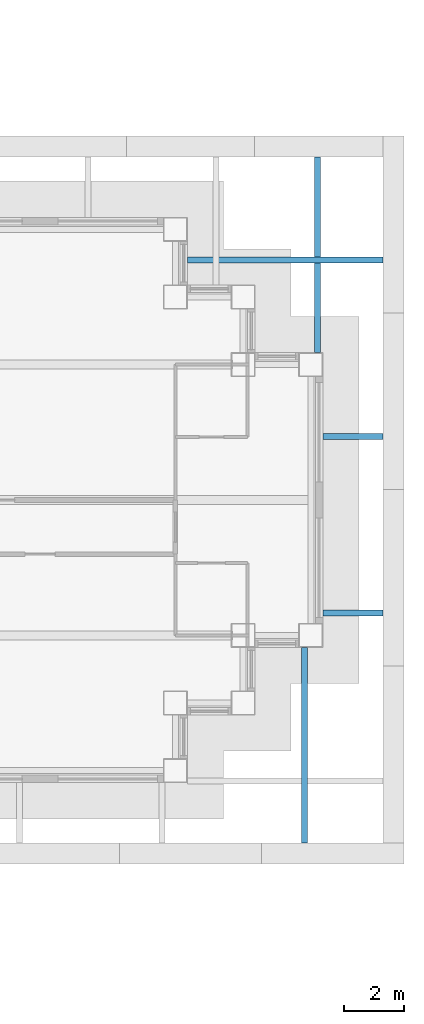
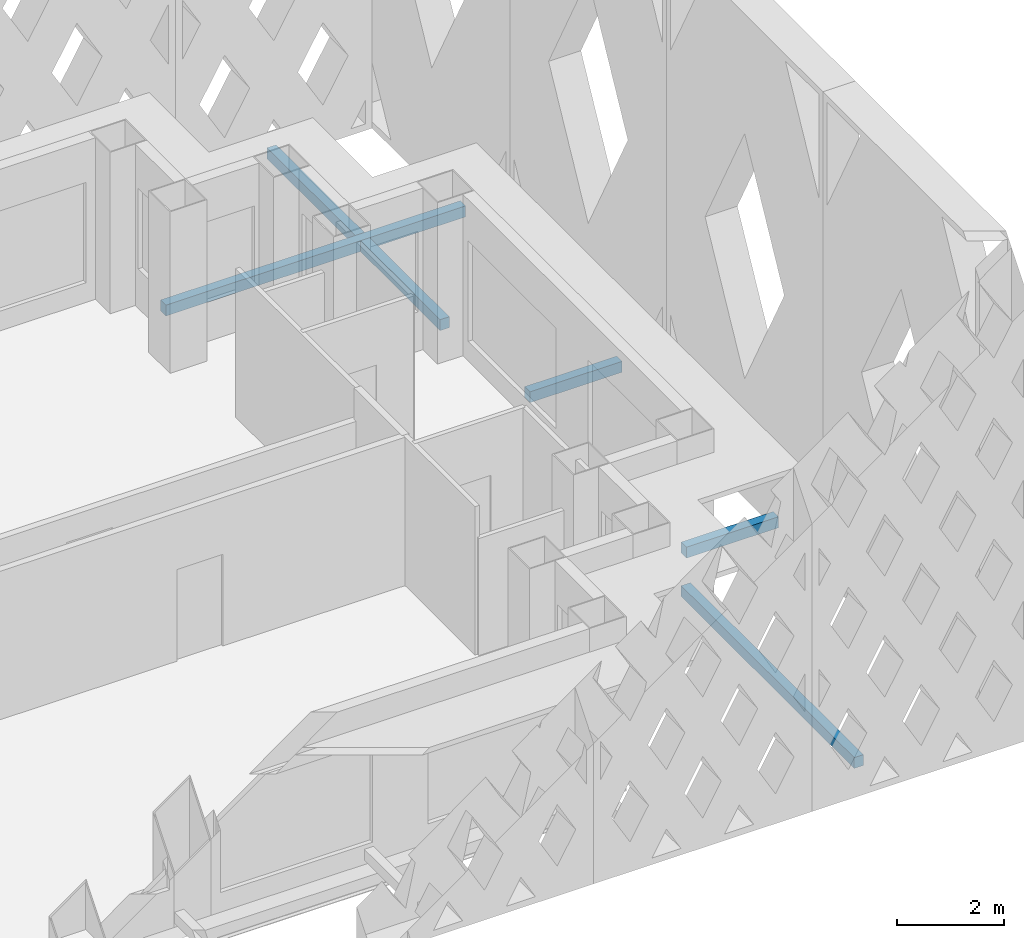
# One storey, part 10 of 18: 5 discrete accessories.
"""IFC4 building model written with IfcOpenShell, lengths in metres."""

from ifc_helpers import new_model, si_unit, direction, frame, origin, origin_2d, place, context, subcontext, project, spatial, rectangle, extrude, material, type_object, element, save


model = new_model("IFC4")

# Units and contexts
model_context = context("Model", 3, precision=1e-05, world=origin(), true_north=direction((0.0, 1.0)))
body_context = subcontext(model_context, "Body", "Model", "MODEL_VIEW")
ifc_project = project(units=[si_unit("LENGTHUNIT", "METRE"), si_unit("AREAUNIT", "SQUARE_METRE"), si_unit("VOLUMEUNIT", "CUBIC_METRE"), si_unit("PLANEANGLEUNIT", "RADIAN"), si_unit("MASSUNIT", "GRAM", prefix="KILO")], contexts=[model_context])

# Site, building, storey
site_placement = place(None, origin())
site = spatial("IfcSite", under=ifc_project, at=site_placement, CompositionType="ELEMENT")
building_placement = place(site_placement, origin())
building = spatial("IfcBuilding", under=site, at=building_placement, Name="Caravel Reach Hotel and Residences", CompositionType="ELEMENT")
storey_placement = place(building_placement, frame((0.0, 0.0, 165.39990234375)))
storey = spatial("IfcBuildingStorey", under=building, at=storey_placement, Name="L41", CompositionType="ELEMENT", Elevation=165.39990234375)

# Discrete accessories
ifc_material = material(Name="Black powder-coated aluminium", Category="aluminium")
discrete_accessory_type = type_object("IfcDiscreteAccessoryType", Name="BR1 Screen bracket", PredefinedType="BRACKET", material=ifc_material)
discrete_accessory_placement = place(storey_placement, frame((62.78662109375, 18.85009765625, 0.10009765625), z_axis=(0.0, 0.0, 1.0), x_axis=(0.0, -1.0, 0.0)))
element("IfcDiscreteAccessory", 1, at=discrete_accessory_placement, inside=storey, type_object=discrete_accessory_type, Name="Screen bracket L41 6.3.1", PredefinedType="BRACKET", context=body_context, shape_type="SweptSolid", body=[
    extrude(rectangle(XDim=6.5, YDim=0.199951171875, at=origin_2d()), origin(), (0.0, 0.0, 1.0), 0.25),
])
for number, where, z_axis, x_axis, name in (
    (2, (64.39990234375, 23.237548828125, 0.10009765625), (0.0, 0.0, 1.0), (1.0, 0.0, 0.0), "Screen bracket L41 7.2.1"),
    (3, (64.39990234375, 29.112548828125, 0.10009765625), (0.0, 0.0, 1.0), (1.0, 0.0, 0.0), "Screen bracket L41 7.3.1"),
):
    element("IfcDiscreteAccessory", number, at=place(storey_placement, frame(where, z_axis=z_axis, x_axis=x_axis)), inside=storey, type_object=discrete_accessory_type, Name=name, PredefinedType="BRACKET", context=body_context, shape_type="SweptSolid", body=[
        extrude(rectangle(XDim=2.0, YDim=0.199951171875, at=origin_2d()), origin(), (0.0, 0.0, 1.0), 0.25),
    ])
for number, where, z_axis, x_axis, name in (
    (4, (62.14990234375, 34.987548828125, 0.10009765625), (0.0, 0.0, 1.0), (1.0, 0.0, 0.0), "Screen bracket L41 7.4.1"),
    (5, (63.219970703125, 35.14990234375, 0.10009765625), (0.0, 0.0, 1.0), (0.0, 1.0, 0.0), "Screen bracket L41 8.1.1"),
):
    element("IfcDiscreteAccessory", number, at=place(storey_placement, frame(where, z_axis=z_axis, x_axis=x_axis)), inside=storey, type_object=discrete_accessory_type, Name=name, PredefinedType="BRACKET", context=body_context, shape_type="SweptSolid", body=[
        extrude(rectangle(XDim=6.5, YDim=0.199951171875, at=origin_2d()), origin(), (0.0, 0.0, 1.0), 0.25),
    ])

save(model, "model.ifc")
